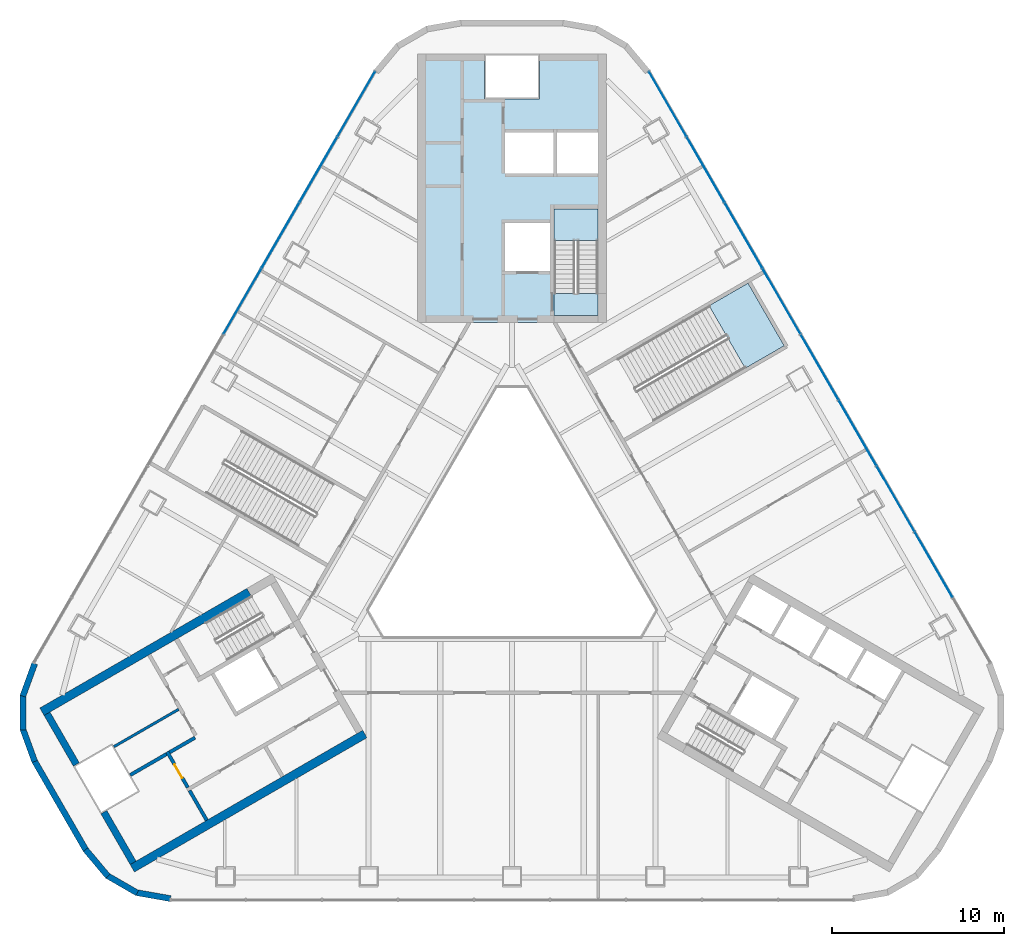
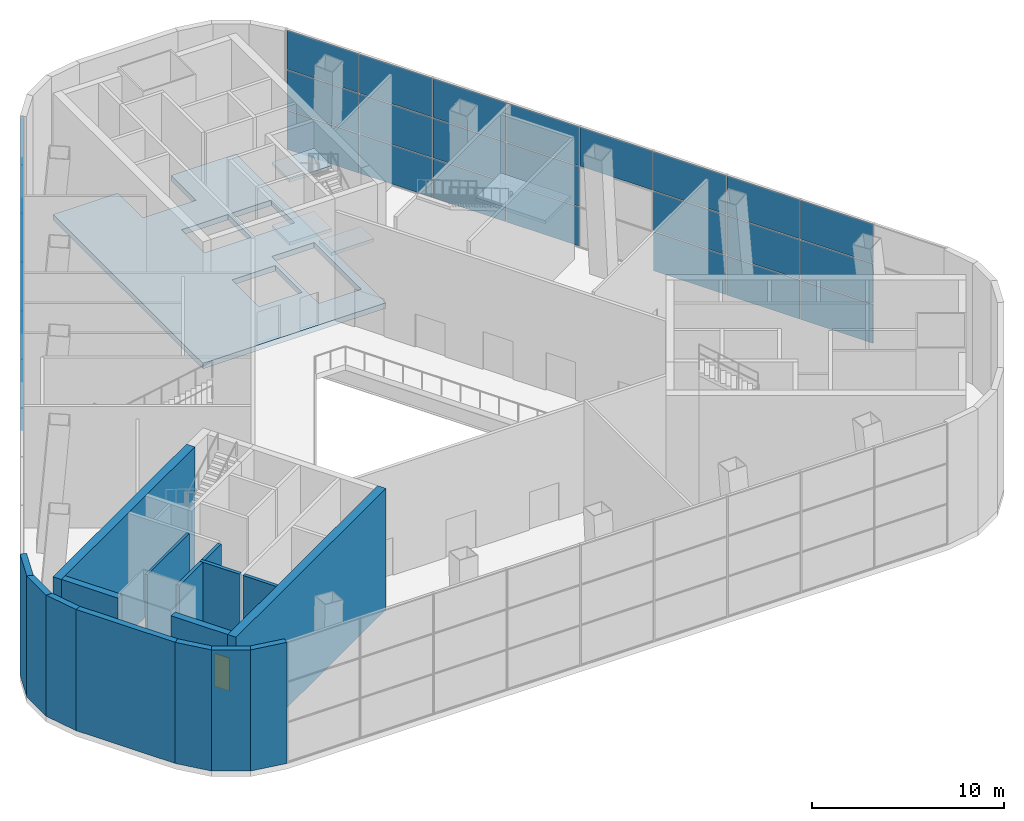
# One storey, part 8 of 16: 34 plates, 16 walls, 5 slabs, 1 door, 1 opening, 4 elements without a shape of their own.
"""IFC4 building model written with IfcOpenShell, lengths in metres."""

from ifc_helpers import new_model, si_unit, direction, frame, frame_2d, origin, origin_2d, place, context, subcontext, project, spatial, polyline, rectangle, outline, extrude, material, layer, layer_set, type_object, element, fill, aggregate, save


model = new_model("IFC4")

# Units and contexts
model_context = context("Model", 3, precision=1e-05, world=origin(), true_north=direction((0.0, 1.0)))
body_context = subcontext(model_context, "Body", "Model", "MODEL_VIEW")
ifc_project = project(units=[si_unit("LENGTHUNIT", "METRE"), si_unit("AREAUNIT", "SQUARE_METRE"), si_unit("VOLUMEUNIT", "CUBIC_METRE"), si_unit("PLANEANGLEUNIT", "RADIAN"), si_unit("MASSUNIT", "GRAM", prefix="KILO")], contexts=[model_context])

# Site, building, storey
site_placement = place(None, origin())
site = spatial("IfcSite", under=ifc_project, at=site_placement, CompositionType="ELEMENT")
building_placement = place(site_placement, origin())
building = spatial("IfcBuilding", under=site, at=building_placement, Name="Apuvela Tower Hotel", CompositionType="ELEMENT")
storey_placement = place(building_placement, frame((0.0, 0.0, 15.5)))
storey = spatial("IfcBuildingStorey", under=building, at=storey_placement, Name="L02", CompositionType="ELEMENT", Elevation=15.5)

# Slab
ifc_material_1 = material(Name="Concrete C50/60", Category="concrete")
ifc_layer_1 = layer(ifc_material_1, 0.35009765625)
ifc_layer_set_1 = layer_set([ifc_layer_1], Name="COR-FLOOR-350")
slab_type_1 = type_object("IfcSlabType", Name="COR-FLOOR-350", PredefinedType="FLOOR", material=ifc_layer_set_1)
slab_1_placement = place(storey_placement, frame((0.0, 0.0, -0.35009765625)))
element("IfcSlab", 1, at=slab_1_placement, inside=storey, type_object=slab_type_1, Name="Core floor N", PredefinedType="FLOOR", context=body_context, shape_type="SweptSolid", body=[
    extrude(outline(polyline([(5.5, 28.5), (1.60009765625, 28.5), (1.60009765625, 25.89990234375), (-1.60009765625, 25.89990234375), (-1.60009765625, 28.5), (-5.5, 28.5), (-5.5, 12.89990234375), (5.5, 12.89990234375), (5.5, 28.5)]), holes=[polyline([(5.0, 14.60595703125), (2.449951171875, 14.60595703125), (2.449951171875, 19.5), (5.0, 19.5), (5.0, 14.60595703125)]), polyline([(2.199951171875, 15.89990234375), (-0.39990234375, 15.89990234375), (-0.39990234375, 18.699951171875), (2.199951171875, 18.699951171875), (2.199951171875, 15.89990234375)]), polyline([(5.0, 21.550048828125), (2.60009765625, 21.550048828125), (2.60009765625, 23.949951171875), (5.0, 23.949951171875), (5.0, 21.550048828125)]), polyline([(2.39990234375, 21.550048828125), (-0.39990234375, 21.550048828125), (-0.39990234375, 23.949951171875), (2.39990234375, 23.949951171875), (2.39990234375, 21.550048828125)])]), origin(), (0.0, 0.0, 1.0), 0.35009765625),
])

# Stair, slabs
stair_type_1 = type_object("IfcStairType", Name="COR-STAIR-48R", PredefinedType="HALF_TURN_STAIR", material=ifc_material_1)
stair_1_placement = place(storey_placement, origin())
stair_1 = element("IfcStair", 2, at=stair_1_placement, inside=storey, type_object=stair_type_1, Name="L02 Exit stair ST1", PredefinedType="HALF_TURN_STAIR")
ifc_layer_2 = layer(ifc_material_1, 0.199951171875)
ifc_layer_set_2 = layer_set([ifc_layer_2], Name="COR-LANDING-200")
slab_type_2 = type_object("IfcSlabType", Name="COR-LANDING-200", PredefinedType="LANDING", material=ifc_layer_set_2)
slab_2_placement = place(storey_placement, frame((0.0, 0.0, 1.800048828125)))
slab_2 = element("IfcSlab", 3, at=slab_2_placement, type_object=slab_type_2, Name="ST1 landing 1", PredefinedType="LANDING", context=body_context, shape_type="SweptSolid", body=[
    extrude(outline(polyline([(5.0, 17.674072265625), (5.0, 19.5), (2.449951171875, 19.5), (2.449951171875, 17.674072265625), (5.0, 17.674072265625)])), origin(), (0.0, 0.0, 1.0), 0.199951171875),
])
slab_3_placement = place(storey_placement, frame((0.0, 0.0, 3.800048828125)))
slab_3 = element("IfcSlab", 4, at=slab_3_placement, type_object=slab_type_2, Name="ST1 landing 2", PredefinedType="LANDING", context=body_context, shape_type="SweptSolid", body=[
    extrude(outline(polyline([(5.0, 13.300048828125), (5.0, 14.60595703125), (2.449951171875, 14.60595703125), (2.449951171875, 13.300048828125), (5.0, 13.300048828125)])), origin(), (0.0, 0.0, 1.0), 0.199951171875),
])
slab_4_placement = place(storey_placement, frame((0.0, 0.0, 5.800048828125)))
slab_4 = element("IfcSlab", 5, at=slab_4_placement, type_object=slab_type_2, Name="ST1 landing 3", PredefinedType="LANDING", context=body_context, shape_type="SweptSolid", body=[
    extrude(outline(polyline([(5.0, 17.674072265625), (5.0, 19.5), (2.449951171875, 19.5), (2.449951171875, 17.674072265625), (5.0, 17.674072265625)])), origin(), (0.0, 0.0, 1.0), 0.199951171875),
])
aggregate(stair_1, [slab_2, slab_3, slab_4])

# Curtain wall, plates
ifc_material_2 = material(Name="Aluminium 6063-T6, dark bronze anodised", Category="aluminium")
ifc_layer_3 = layer(ifc_material_2, 0.199951171875)
ifc_layer_set_3 = layer_set([ifc_layer_3], Name="ENV-CW-P")
curtain_wall_type = type_object("IfcCurtainWallType", Name="ENV-CW-P", PredefinedType="NOTDEFINED", material=ifc_layer_set_3)
curtain_wall_1_placement = place(storey_placement, origin())
curtain_wall_1 = element("IfcCurtainWall", 6, at=curtain_wall_1_placement, inside=storey, type_object=curtain_wall_type, Name="Curtain wall CW-P NE L02", PredefinedType="NOTDEFINED")
ifc_material_3 = material(Name="Glass, dark tinted laminated insulated glazing unit", Category="glass")
ifc_layer_4 = layer(ifc_material_3, 0.0400390625)
ifc_layer_set_4 = layer_set([ifc_layer_4], Name="ENV-PANEL-IGU-40")
plate_type = type_object("IfcPlateType", Name="ENV-PANEL-IGU-40", PredefinedType="CURTAIN_PANEL", material=ifc_layer_set_4)
plate_1_placement = place(storey_placement, frame((24.4912109375, -1.1572265625, 0.06494140625), z_axis=(0.0, 0.0, 1.0), x_axis=(-0.500001316455, 0.866024643727, 0.0)))
plate_1 = element("IfcPlate", 7, at=plate_1_placement, type_object=plate_type, Name="CW-P panel 2.1", PredefinedType="CURTAIN_PANEL", context=body_context, shape_type="SweptSolid", body=[
    extrude(rectangle(XDim=4.350830078125, YDim=0.0400390625, at=origin_2d()), origin(), (0.0, 0.0, 1.0), 2.46923828125),
])
plate_2_placement = place(storey_placement, frame((24.4912109375, -1.1572265625, 2.59912109375), z_axis=(0.0, 0.0, 1.0), x_axis=(-0.500001316455, 0.866024643727, 0.0)))
plate_2 = element("IfcPlate", 8, at=plate_2_placement, type_object=plate_type, Name="CW-P panel 2.2", PredefinedType="CURTAIN_PANEL", context=body_context, shape_type="SweptSolid", body=[
    extrude(rectangle(XDim=4.350830078125, YDim=0.0400390625, at=origin_2d()), origin(), (0.0, 0.0, 1.0), 2.501708984375),
])
plate_3_placement = place(storey_placement, frame((24.4912109375, -1.1572265625, 5.165771484375), z_axis=(0.0, 0.0, 1.0), x_axis=(-0.500001316455, 0.866024643727, 0.0)))
plate_3 = element("IfcPlate", 9, at=plate_3_placement, type_object=plate_type, Name="CW-P panel 2.3", PredefinedType="CURTAIN_PANEL", context=body_context, shape_type="SweptSolid", body=[
    extrude(rectangle(XDim=4.350830078125, YDim=0.0400390625, at=origin_2d()), origin(), (0.0, 0.0, 1.0), 2.46923828125),
])
plate_4_placement = place(storey_placement, frame((22.283203125, 2.6669921875, 0.06494140625), z_axis=(0.0, 0.0, 1.0), x_axis=(-0.500001316455, 0.866024643727, 0.0)))
plate_4 = element("IfcPlate", 10, at=plate_4_placement, type_object=plate_type, Name="CW-P panel 3.1", PredefinedType="CURTAIN_PANEL", context=body_context, shape_type="SweptSolid", body=[
    extrude(rectangle(XDim=4.350830078125, YDim=0.0400390625, at=origin_2d()), origin(), (0.0, 0.0, 1.0), 2.46923828125),
])
plate_5_placement = place(storey_placement, frame((22.283203125, 2.6669921875, 2.59912109375), z_axis=(0.0, 0.0, 1.0), x_axis=(-0.500001316455, 0.866024643727, 0.0)))
plate_5 = element("IfcPlate", 11, at=plate_5_placement, type_object=plate_type, Name="CW-P panel 3.2", PredefinedType="CURTAIN_PANEL", context=body_context, shape_type="SweptSolid", body=[
    extrude(rectangle(XDim=4.350830078125, YDim=0.0400390625, at=origin_2d()), origin(), (0.0, 0.0, 1.0), 2.501708984375),
])
plate_6_placement = place(storey_placement, frame((22.283203125, 2.6669921875, 5.165771484375), z_axis=(0.0, 0.0, 1.0), x_axis=(-0.500001316455, 0.866024643727, 0.0)))
plate_6 = element("IfcPlate", 12, at=plate_6_placement, type_object=plate_type, Name="CW-P panel 3.3", PredefinedType="CURTAIN_PANEL", context=body_context, shape_type="SweptSolid", body=[
    extrude(rectangle(XDim=4.350830078125, YDim=0.0400390625, at=origin_2d()), origin(), (0.0, 0.0, 1.0), 2.46923828125),
])
plate_7_placement = place(storey_placement, frame((20.0751953125, 6.491455078125, 0.06494140625), z_axis=(0.0, 0.0, 1.0), x_axis=(-0.500001316455, 0.866024643727, 0.0)))
plate_7 = element("IfcPlate", 13, at=plate_7_placement, type_object=plate_type, Name="CW-P panel 4.1", PredefinedType="CURTAIN_PANEL", context=body_context, shape_type="SweptSolid", body=[
    extrude(rectangle(XDim=4.350830078125, YDim=0.0400390625, at=origin_2d()), origin(), (0.0, 0.0, 1.0), 2.46923828125),
])
plate_8_placement = place(storey_placement, frame((20.0751953125, 6.491455078125, 2.59912109375), z_axis=(0.0, 0.0, 1.0), x_axis=(-0.500001316455, 0.866024643727, 0.0)))
plate_8 = element("IfcPlate", 14, at=plate_8_placement, type_object=plate_type, Name="CW-P panel 4.2", PredefinedType="CURTAIN_PANEL", context=body_context, shape_type="SweptSolid", body=[
    extrude(rectangle(XDim=4.350830078125, YDim=0.0400390625, at=origin_2d()), origin(), (0.0, 0.0, 1.0), 2.501708984375),
])
plate_9_placement = place(storey_placement, frame((20.0751953125, 6.491455078125, 5.165771484375), z_axis=(0.0, 0.0, 1.0), x_axis=(-0.500001316455, 0.866024643727, 0.0)))
plate_9 = element("IfcPlate", 15, at=plate_9_placement, type_object=plate_type, Name="CW-P panel 4.3", PredefinedType="CURTAIN_PANEL", context=body_context, shape_type="SweptSolid", body=[
    extrude(rectangle(XDim=4.350830078125, YDim=0.0400390625, at=origin_2d()), origin(), (0.0, 0.0, 1.0), 2.46923828125),
])
plate_10_placement = place(storey_placement, frame((17.8671875, 10.315673828125, 5.165771484375), z_axis=(0.0, 0.0, 1.0), x_axis=(-0.500001316455, 0.866024643727, 0.0)))
plate_10 = element("IfcPlate", 16, at=plate_10_placement, type_object=plate_type, Name="CW-P panel 5.3", PredefinedType="CURTAIN_PANEL", context=body_context, shape_type="SweptSolid", body=[
    extrude(rectangle(XDim=4.350830078125, YDim=0.0400390625, at=origin_2d()), origin(), (0.0, 0.0, 1.0), 2.46923828125),
])
plate_11_placement = place(storey_placement, frame((15.659423828125, 14.139892578125, 0.06494140625), z_axis=(0.0, 0.0, 1.0), x_axis=(-0.500001316455, 0.866024643727, 0.0)))
plate_11 = element("IfcPlate", 17, at=plate_11_placement, type_object=plate_type, Name="CW-P panel 6.1", PredefinedType="CURTAIN_PANEL", context=body_context, shape_type="SweptSolid", body=[
    extrude(rectangle(XDim=4.350830078125, YDim=0.0400390625, at=origin_2d()), origin(), (0.0, 0.0, 1.0), 2.46923828125),
])
plate_12_placement = place(storey_placement, frame((15.659423828125, 14.139892578125, 2.59912109375), z_axis=(0.0, 0.0, 1.0), x_axis=(-0.500001316455, 0.866024643727, 0.0)))
plate_12 = element("IfcPlate", 18, at=plate_12_placement, type_object=plate_type, Name="CW-P panel 6.2", PredefinedType="CURTAIN_PANEL", context=body_context, shape_type="SweptSolid", body=[
    extrude(rectangle(XDim=4.350830078125, YDim=0.0400390625, at=origin_2d()), origin(), (0.0, 0.0, 1.0), 2.501708984375),
])
plate_13_placement = place(storey_placement, frame((15.659423828125, 14.139892578125, 5.165771484375), z_axis=(0.0, 0.0, 1.0), x_axis=(-0.500001316455, 0.866024643727, 0.0)))
plate_13 = element("IfcPlate", 19, at=plate_13_placement, type_object=plate_type, Name="CW-P panel 6.3", PredefinedType="CURTAIN_PANEL", context=body_context, shape_type="SweptSolid", body=[
    extrude(rectangle(XDim=4.350830078125, YDim=0.0400390625, at=origin_2d()), origin(), (0.0, 0.0, 1.0), 2.46923828125),
])
plate_14_placement = place(storey_placement, frame((13.451416015625, 17.964111328125, 0.06494140625), z_axis=(0.0, 0.0, 1.0), x_axis=(-0.500001316455, 0.866024643727, 0.0)))
plate_14 = element("IfcPlate", 20, at=plate_14_placement, type_object=plate_type, Name="CW-P panel 7.1", PredefinedType="CURTAIN_PANEL", context=body_context, shape_type="SweptSolid", body=[
    extrude(rectangle(XDim=4.350830078125, YDim=0.0400390625, at=origin_2d()), origin(), (0.0, 0.0, 1.0), 2.46923828125),
])
plate_15_placement = place(storey_placement, frame((13.451416015625, 17.964111328125, 2.59912109375), z_axis=(0.0, 0.0, 1.0), x_axis=(-0.500001316455, 0.866024643727, 0.0)))
plate_15 = element("IfcPlate", 21, at=plate_15_placement, type_object=plate_type, Name="CW-P panel 7.2", PredefinedType="CURTAIN_PANEL", context=body_context, shape_type="SweptSolid", body=[
    extrude(rectangle(XDim=4.350830078125, YDim=0.0400390625, at=origin_2d()), origin(), (0.0, 0.0, 1.0), 2.501708984375),
])
plate_16_placement = place(storey_placement, frame((13.451416015625, 17.964111328125, 5.165771484375), z_axis=(0.0, 0.0, 1.0), x_axis=(-0.500001316455, 0.866024643727, 0.0)))
plate_16 = element("IfcPlate", 22, at=plate_16_placement, type_object=plate_type, Name="CW-P panel 7.3", PredefinedType="CURTAIN_PANEL", context=body_context, shape_type="SweptSolid", body=[
    extrude(rectangle(XDim=4.350830078125, YDim=0.0400390625, at=origin_2d()), origin(), (0.0, 0.0, 1.0), 2.46923828125),
])
plate_17_placement = place(storey_placement, frame((11.243408203125, 21.78857421875, 0.06494140625), z_axis=(0.0, 0.0, 1.0), x_axis=(-0.500001316455, 0.866024643727, 0.0)))
plate_17 = element("IfcPlate", 23, at=plate_17_placement, type_object=plate_type, Name="CW-P panel 8.1", PredefinedType="CURTAIN_PANEL", context=body_context, shape_type="SweptSolid", body=[
    extrude(rectangle(XDim=4.350830078125, YDim=0.0400390625, at=origin_2d()), origin(), (0.0, 0.0, 1.0), 2.46923828125),
])
plate_18_placement = place(storey_placement, frame((11.243408203125, 21.78857421875, 2.59912109375), z_axis=(0.0, 0.0, 1.0), x_axis=(-0.500001316455, 0.866024643727, 0.0)))
plate_18 = element("IfcPlate", 24, at=plate_18_placement, type_object=plate_type, Name="CW-P panel 8.2", PredefinedType="CURTAIN_PANEL", context=body_context, shape_type="SweptSolid", body=[
    extrude(rectangle(XDim=4.350830078125, YDim=0.0400390625, at=origin_2d()), origin(), (0.0, 0.0, 1.0), 2.501708984375),
])
plate_19_placement = place(storey_placement, frame((11.243408203125, 21.78857421875, 5.165771484375), z_axis=(0.0, 0.0, 1.0), x_axis=(-0.500001316455, 0.866024643727, 0.0)))
plate_19 = element("IfcPlate", 25, at=plate_19_placement, type_object=plate_type, Name="CW-P panel 8.3", PredefinedType="CURTAIN_PANEL", context=body_context, shape_type="SweptSolid", body=[
    extrude(rectangle(XDim=4.350830078125, YDim=0.0400390625, at=origin_2d()), origin(), (0.0, 0.0, 1.0), 2.46923828125),
])
plate_20_placement = place(storey_placement, frame((9.043701171875, 25.5986328125, 0.06494140625), z_axis=(0.0, 0.0, 1.0), x_axis=(-0.500001316455, 0.866024643727, 0.0)))
plate_20 = element("IfcPlate", 26, at=plate_20_placement, type_object=plate_type, Name="CW-P panel 9.1", PredefinedType="CURTAIN_PANEL", context=body_context, shape_type="SweptSolid", body=[
    extrude(rectangle(XDim=4.318359375, YDim=0.0400390625, at=origin_2d()), origin(), (0.0, 0.0, 1.0), 2.46923828125),
])
plate_21_placement = place(storey_placement, frame((9.043701171875, 25.5986328125, 2.59912109375), z_axis=(0.0, 0.0, 1.0), x_axis=(-0.500001316455, 0.866024643727, 0.0)))
plate_21 = element("IfcPlate", 27, at=plate_21_placement, type_object=plate_type, Name="CW-P panel 9.2", PredefinedType="CURTAIN_PANEL", context=body_context, shape_type="SweptSolid", body=[
    extrude(rectangle(XDim=4.318359375, YDim=0.0400390625, at=origin_2d()), origin(), (0.0, 0.0, 1.0), 2.501708984375),
])
plate_22_placement = place(storey_placement, frame((9.043701171875, 25.5986328125, 5.165771484375), z_axis=(0.0, 0.0, 1.0), x_axis=(-0.500001316455, 0.866024643727, 0.0)))
plate_22 = element("IfcPlate", 28, at=plate_22_placement, type_object=plate_type, Name="CW-P panel 9.3", PredefinedType="CURTAIN_PANEL", context=body_context, shape_type="SweptSolid", body=[
    extrude(rectangle(XDim=4.318359375, YDim=0.0400390625, at=origin_2d()), origin(), (0.0, 0.0, 1.0), 2.46923828125),
])
aggregate(curtain_wall_1, [plate_1, plate_2, plate_3, plate_4, plate_5, plate_6, plate_7, plate_8, plate_9, plate_10, plate_11, plate_12, plate_13, plate_14, plate_15, plate_16, plate_17, plate_18, plate_19, plate_20, plate_21, plate_22])

curtain_wall_2_placement = place(storey_placement, origin())
curtain_wall_2 = element("IfcCurtainWall", 29, at=curtain_wall_2_placement, inside=storey, type_object=curtain_wall_type, Name="Curtain wall CW-P NW L02", PredefinedType="NOTDEFINED")
plate_23_placement = place(storey_placement, frame((-9.043701171875, 25.5986328125, 0.06494140625), z_axis=(0.0, 0.0, 1.0), x_axis=(-0.500001316455, -0.866024643727, 0.0)))
plate_23 = element("IfcPlate", 30, at=plate_23_placement, type_object=plate_type, Name="CW-P panel 1.1", PredefinedType="CURTAIN_PANEL", context=body_context, shape_type="SweptSolid", body=[
    extrude(rectangle(XDim=4.318359375, YDim=0.0400390625, at=origin_2d()), origin(), (0.0, 0.0, 1.0), 2.46923828125),
])
plate_24_placement = place(storey_placement, frame((-9.043701171875, 25.5986328125, 2.59912109375), z_axis=(0.0, 0.0, 1.0), x_axis=(-0.500001316455, -0.866024643727, 0.0)))
plate_24 = element("IfcPlate", 31, at=plate_24_placement, type_object=plate_type, Name="CW-P panel 1.2", PredefinedType="CURTAIN_PANEL", context=body_context, shape_type="SweptSolid", body=[
    extrude(rectangle(XDim=4.318359375, YDim=0.0400390625, at=origin_2d()), origin(), (0.0, 0.0, 1.0), 2.501708984375),
])
plate_25_placement = place(storey_placement, frame((-9.043701171875, 25.5986328125, 5.165771484375), z_axis=(0.0, 0.0, 1.0), x_axis=(-0.500001316455, -0.866024643727, 0.0)))
plate_25 = element("IfcPlate", 32, at=plate_25_placement, type_object=plate_type, Name="CW-P panel 1.3", PredefinedType="CURTAIN_PANEL", context=body_context, shape_type="SweptSolid", body=[
    extrude(rectangle(XDim=4.318359375, YDim=0.0400390625, at=origin_2d()), origin(), (0.0, 0.0, 1.0), 2.46923828125),
])
plate_26_placement = place(storey_placement, frame((-11.243408203125, 21.78857421875, 0.06494140625), z_axis=(0.0, 0.0, 1.0), x_axis=(-0.500001316455, -0.866024643727, 0.0)))
plate_26 = element("IfcPlate", 33, at=plate_26_placement, type_object=plate_type, Name="CW-P panel 2.1", PredefinedType="CURTAIN_PANEL", context=body_context, shape_type="SweptSolid", body=[
    extrude(rectangle(XDim=4.350830078125, YDim=0.0400390625, at=origin_2d()), origin(), (0.0, 0.0, 1.0), 2.46923828125),
])
plate_27_placement = place(storey_placement, frame((-11.243408203125, 21.78857421875, 2.59912109375), z_axis=(0.0, 0.0, 1.0), x_axis=(-0.500001316455, -0.866024643727, 0.0)))
plate_27 = element("IfcPlate", 34, at=plate_27_placement, type_object=plate_type, Name="CW-P panel 2.2", PredefinedType="CURTAIN_PANEL", context=body_context, shape_type="SweptSolid", body=[
    extrude(rectangle(XDim=4.350830078125, YDim=0.0400390625, at=origin_2d()), origin(), (0.0, 0.0, 1.0), 2.501708984375),
])
plate_28_placement = place(storey_placement, frame((-11.243408203125, 21.78857421875, 5.165771484375), z_axis=(0.0, 0.0, 1.0), x_axis=(-0.500001316455, -0.866024643727, 0.0)))
plate_28 = element("IfcPlate", 35, at=plate_28_placement, type_object=plate_type, Name="CW-P panel 2.3", PredefinedType="CURTAIN_PANEL", context=body_context, shape_type="SweptSolid", body=[
    extrude(rectangle(XDim=4.350830078125, YDim=0.0400390625, at=origin_2d()), origin(), (0.0, 0.0, 1.0), 2.46923828125),
])
plate_29_placement = place(storey_placement, frame((-13.451416015625, 17.964111328125, 0.06494140625), z_axis=(0.0, 0.0, 1.0), x_axis=(-0.500001316455, -0.866024643727, 0.0)))
plate_29 = element("IfcPlate", 36, at=plate_29_placement, type_object=plate_type, Name="CW-P panel 3.1", PredefinedType="CURTAIN_PANEL", context=body_context, shape_type="SweptSolid", body=[
    extrude(rectangle(XDim=4.350830078125, YDim=0.0400390625, at=origin_2d()), origin(), (0.0, 0.0, 1.0), 2.46923828125),
])
plate_30_placement = place(storey_placement, frame((-13.451416015625, 17.964111328125, 2.59912109375), z_axis=(0.0, 0.0, 1.0), x_axis=(-0.500001316455, -0.866024643727, 0.0)))
plate_30 = element("IfcPlate", 37, at=plate_30_placement, type_object=plate_type, Name="CW-P panel 3.2", PredefinedType="CURTAIN_PANEL", context=body_context, shape_type="SweptSolid", body=[
    extrude(rectangle(XDim=4.350830078125, YDim=0.0400390625, at=origin_2d()), origin(), (0.0, 0.0, 1.0), 2.501708984375),
])
plate_31_placement = place(storey_placement, frame((-13.451416015625, 17.964111328125, 5.165771484375), z_axis=(0.0, 0.0, 1.0), x_axis=(-0.500001316455, -0.866024643727, 0.0)))
plate_31 = element("IfcPlate", 38, at=plate_31_placement, type_object=plate_type, Name="CW-P panel 3.3", PredefinedType="CURTAIN_PANEL", context=body_context, shape_type="SweptSolid", body=[
    extrude(rectangle(XDim=4.350830078125, YDim=0.0400390625, at=origin_2d()), origin(), (0.0, 0.0, 1.0), 2.46923828125),
])
plate_32_placement = place(storey_placement, frame((-15.659423828125, 14.139892578125, 0.06494140625), z_axis=(0.0, 0.0, 1.0), x_axis=(-0.500001316455, -0.866024643727, 0.0)))
plate_32 = element("IfcPlate", 39, at=plate_32_placement, type_object=plate_type, Name="CW-P panel 4.1", PredefinedType="CURTAIN_PANEL", context=body_context, shape_type="SweptSolid", body=[
    extrude(rectangle(XDim=4.350830078125, YDim=0.0400390625, at=origin_2d()), origin(), (0.0, 0.0, 1.0), 2.46923828125),
])
plate_33_placement = place(storey_placement, frame((-15.659423828125, 14.139892578125, 2.59912109375), z_axis=(0.0, 0.0, 1.0), x_axis=(-0.500001316455, -0.866024643727, 0.0)))
plate_33 = element("IfcPlate", 40, at=plate_33_placement, type_object=plate_type, Name="CW-P panel 4.2", PredefinedType="CURTAIN_PANEL", context=body_context, shape_type="SweptSolid", body=[
    extrude(rectangle(XDim=4.350830078125, YDim=0.0400390625, at=origin_2d()), origin(), (0.0, 0.0, 1.0), 2.501708984375),
])
plate_34_placement = place(storey_placement, frame((-15.659423828125, 14.139892578125, 5.165771484375), z_axis=(0.0, 0.0, 1.0), x_axis=(-0.500001316455, -0.866024643727, 0.0)))
plate_34 = element("IfcPlate", 41, at=plate_34_placement, type_object=plate_type, Name="CW-P panel 4.3", PredefinedType="CURTAIN_PANEL", context=body_context, shape_type="SweptSolid", body=[
    extrude(rectangle(XDim=4.350830078125, YDim=0.0400390625, at=origin_2d()), origin(), (0.0, 0.0, 1.0), 2.46923828125),
])
aggregate(curtain_wall_2, [plate_23, plate_24, plate_25, plate_26, plate_27, plate_28, plate_29, plate_30, plate_31, plate_32, plate_33, plate_34])

# Stair, slab
ifc_material_4 = material(Name="Concrete C40/50", Category="concrete")
stair_type_2 = type_object("IfcStairType", Name="SPC-STAIR-PS", PredefinedType="HALF_TURN_STAIR", material=ifc_material_4)
stair_2_placement = place(storey_placement, origin())
stair_2 = element("IfcStair", 42, at=stair_2_placement, inside=storey, type_object=stair_type_2, Name="L02 Protected exit stair PS1", PredefinedType="HALF_TURN_STAIR")
ifc_layer_5 = layer(ifc_material_4, 0.199951171875)
ifc_layer_set_5 = layer_set([ifc_layer_5], Name="SPC-LANDING-PS")
slab_type_3 = type_object("IfcSlabType", Name="SPC-LANDING-PS", PredefinedType="LANDING", material=ifc_layer_set_5)
slab_5_placement = place(storey_placement, frame((0.0, 0.0, 3.800048828125)))
slab_5 = element("IfcSlab", 43, at=slab_5_placement, type_object=slab_type_3, Name="PS1 landing 1", PredefinedType="LANDING", context=body_context, shape_type="SweptSolid", body=[
    extrude(outline(polyline([(13.546875, 10.24609375), (15.8115234375, 11.5537109375), (13.71142578125, 15.19091796875), (11.44677734375, 13.883544921875), (13.546875, 10.24609375)])), origin(), (0.0, 0.0, 1.0), 0.199951171875),
])
aggregate(stair_2, [slab_5])

# Walls
ifc_layer_6 = layer(ifc_material_1, 0.39990234375)
ifc_layer_set_6 = layer_set([ifc_layer_6], Name="COR-WALL-CORE-400")
wall_type_1 = type_object("IfcWallType", Name="COR-WALL-CORE-400", PredefinedType="SHEAR", material=ifc_layer_set_6)
wall_1_placement = place(storey_placement, frame((-23.70849609375, -15.53564453125, 0.0), z_axis=(0.0, 0.0, 1.0), x_axis=(0.500008388397, -0.866020560687, 0.0)))
element("IfcWall", 44, at=wall_1_placement, inside=storey, type_object=wall_type_1, Name="Core wall SW", PredefinedType="SHEAR", context=body_context, shape_type="SweptSolid", body=[
    extrude(rectangle(XDim=3.39990234375, YDim=0.39990234375, at=frame_2d((1.699951171875, 0.0))), origin(), (0.0, 0.0, 1.0), 7.699951171875),
])
wall_2_placement = place(storey_placement, frame((-27.008544921875, -9.81982421875, 0.0), z_axis=(0.0, 0.0, 1.0), x_axis=(0.499977295307, -0.866038511948, 0.0)))
element("IfcWall", 45, at=wall_2_placement, inside=storey, type_object=wall_type_1, Name="Core wall SW", PredefinedType="SHEAR", context=body_context, shape_type="SweptSolid", body=[
    extrude(rectangle(XDim=3.400146484375, YDim=0.39990234375, at=frame_2d((1.7001953125, 0.0))), origin(), (0.0, 0.0, 1.0), 7.699951171875),
])
ifc_layer_7 = layer(ifc_material_1, 0.5)
ifc_layer_set_7 = layer_set([ifc_layer_7], Name="COR-WALL-CORE-500")
wall_type_2 = type_object("IfcWallType", Name="COR-WALL-CORE-500", PredefinedType="SHEAR", material=ifc_layer_set_7)
wall_3_placement = place(storey_placement, frame((-8.546630859375, -10.99658203125, 0.0), z_axis=(0.0, 0.0, 1.0), x_axis=(-0.866024264262, -0.500001973705, 0.0)))
element("IfcWall", 46, at=wall_3_placement, inside=storey, type_object=wall_type_2, Name="Core wall SW", PredefinedType="SHEAR", context=body_context, shape_type="SweptSolid", body=[
    extrude(rectangle(XDim=15.60009765625, YDim=0.5, at=frame_2d((7.800048828125, 0.0))), origin(), (0.0, 0.0, 1.0), 7.699951171875),
])
wall_4_placement = place(storey_placement, frame((-15.274169921875, -2.75634765625, 0.0), z_axis=(0.0, 0.0, 1.0), x_axis=(-0.86602318214, -0.500003847982, 0.0)))
element("IfcWall", 47, at=wall_4_placement, inside=storey, type_object=wall_type_2, Name="Core wall SW", PredefinedType="SHEAR", context=body_context, shape_type="SweptSolid", body=[
    extrude(rectangle(XDim=13.89404296875, YDim=0.5, at=frame_2d((6.947021484375, 0.0))), origin(), (0.0, 0.0, 1.0), 7.699951171875),
])
ifc_material_5 = material(Name="Blockwork 150 mm plastered", Category="masonry")
ifc_layer_8 = layer(ifc_material_5, 0.14990234375)
ifc_layer_set_8 = layer_set([ifc_layer_8], Name="COR-WALL-PART-150")
wall_type_3 = type_object("IfcWallType", Name="COR-WALL-PART-150", PredefinedType="PARTITIONING", material=ifc_layer_set_8)
wall_5_placement = place(storey_placement, frame((-19.36279296875, -9.5625, 0.0), z_axis=(0.0, 0.0, 1.0), x_axis=(-0.866027639635, -0.499996127374, 0.0)))
element("IfcWall", 48, at=wall_5_placement, inside=storey, type_object=wall_type_3, Name="Partition SW", PredefinedType="PARTITIONING", context=body_context, shape_type="SweptSolid", body=[
    extrude(rectangle(XDim=4.35009765625, YDim=0.14990234375, at=frame_2d((2.175048828125, 0.0))), origin(), (0.0, 0.0, 1.0), 7.699951171875),
])

# Wall, opening, door
ifc_layer_9 = layer(ifc_material_1, 0.199951171875)
ifc_layer_set_9 = layer_set([ifc_layer_9], Name="COR-WALL-SHAFT-200")
wall_type_4 = type_object("IfcWallType", Name="COR-WALL-SHAFT-200", PredefinedType="SHEAR", material=ifc_layer_set_9)
wall_6_placement = place(storey_placement, frame((-20.030517578125, -12.0263671875, 0.0), z_axis=(0.0, 0.0, 1.0), x_axis=(0.500033551112, -0.866006032174, 0.0)))
wall_6 = element("IfcWall", 49, at=wall_6_placement, inside=storey, type_object=wall_type_4, Name="Shaft wall SW", PredefinedType="SHEAR", context=body_context, shape_type="SweptSolid", body=[
    extrude(rectangle(XDim=2.400146484375, YDim=0.199951171875, at=frame_2d((1.2001953125, 0.0))), origin(), (0.0, 0.0, 1.0), 7.699951171875),
])
opening_placement = place(wall_6_placement, frame((0.85009765625, 0.0, 0.0)))
opening = element("IfcOpeningElement", 50, at=opening_placement, cuts=wall_6, Name="Opening W-REP", PredefinedType="OPENING", context=body_context, shape_type="SweptSolid", body=[
    extrude(rectangle(XDim=0.89990234375, YDim=2.10009765625, at=frame_2d((0.449951171875, 1.050048828125))), frame((0.0, 0.10986328125, 0.0), z_axis=(0.0, -1.0, 0.0), x_axis=(1.0, 0.0, 0.0)), (0.0, 0.0, 1.0), 0.219970703125),
])
ifc_material_6 = material(Name="Steel fire door, powder coated", Category="steel")
door_type = type_object("IfcDoorType", Name="COR-DR-900", OperationType="NOTDEFINED", PredefinedType="DOOR", material=ifc_material_6)
door_placement = place(opening_placement, frame((0.89990234375, 0.0, 0.0), z_axis=(0.0, 0.0, 1.0), x_axis=(-1.0, 0.0, 0.0)))
door = element("IfcDoor", 51, at=door_placement, inside=storey, type_object=door_type, Name="Store door W-REP", OperationType="SINGLE_SWING_LEFT", OverallHeight=2.10009765625, OverallWidth=0.89990234375, PredefinedType="DOOR", context=body_context, shape_type="SweptSolid", body=[
    extrude(rectangle(XDim=0.89990234375, YDim=2.10009765625, at=frame_2d((0.449951171875, 1.050048828125))), frame((0.0, 0.02490234375, 0.0), z_axis=(0.0, -1.0, 0.0), x_axis=(1.0, 0.0, 0.0)), (0.0, 0.0, 1.0), 0.050048828125),
])
fill(opening, door)

# Walls
wall_7_placement = place(storey_placement, frame((-18.412841796875, -11.2080078125, 0.0), z_axis=(0.0, 0.0, 1.0), x_axis=(-0.866038183914, -0.499977863513, 0.0)))
element("IfcWall", 52, at=wall_7_placement, inside=storey, type_object=wall_type_4, Name="Shaft wall SW", PredefinedType="SHEAR", context=body_context, shape_type="SweptSolid", body=[
    extrude(rectangle(XDim=1.7099609375, YDim=0.199951171875, at=frame_2d((0.85498046875, 0.0))), origin(), (0.0, 0.0, 1.0), 7.699951171875),
])
wall_8_placement = place(storey_placement, frame((-18.73046875, -14.278076171875, 0.0), z_axis=(0.0, 0.0, 1.0), x_axis=(0.50002537861, -0.866010750942, 0.0)))
element("IfcWall", 53, at=wall_8_placement, inside=storey, type_object=wall_type_4, Name="Shaft wall SW", PredefinedType="SHEAR", context=body_context, shape_type="SweptSolid", body=[
    extrude(rectangle(XDim=2.0, YDim=0.199951171875, at=frame_2d((1.0, 0.0))), origin(), (0.0, 0.0, 1.0), 7.699951171875),
])
wall_9_placement = place(storey_placement, frame((-20.06689453125, -12.1630859375, 0.0), z_axis=(0.0, 0.0, 1.0), x_axis=(-0.866048967903, -0.499959183527, 0.0)))
element("IfcWall", 54, at=wall_9_placement, inside=storey, type_object=wall_type_4, Name="Shaft wall SW", PredefinedType="SHEAR", context=body_context, shape_type="SweptSolid", body=[
    extrude(rectangle(XDim=2.440185546875, YDim=0.199951171875, at=frame_2d((1.22021484375, 0.0))), origin(), (0.0, 0.0, 1.0), 7.699951171875),
])
ifc_material_7 = material(Name="Concrete C40/50, dark pigmented precast panel", Category="concrete")
ifc_layer_10 = layer(ifc_material_7, 0.35009765625)
ifc_layer_set_10 = layer_set([ifc_layer_10], Name="ENV-WALL-350")
wall_type_5 = type_object("IfcWallType", Name="ENV-WALL-350", PredefinedType="SOLIDWALL", material=ifc_layer_set_10)
wall_10_placement = place(storey_placement, frame((-27.72509765625, -6.9033203125, 0.0), z_axis=(0.0, 0.0, 1.0), x_axis=(-0.342102542586, -0.939662625816, 0.0)))
element("IfcWall", 55, at=wall_10_placement, inside=storey, type_object=wall_type_5, Name="External wall L02-08", PredefinedType="SOLIDWALL", context=body_context, shape_type="SweptSolid", body=[
    extrude(rectangle(XDim=2.017578125, YDim=0.35009765625, at=frame_2d((1.0087890625, 0.0))), origin(), (0.0, 0.0, 1.0), 7.699951171875),
])
for number, where, z_axis, x_axis, name in (
    (56, (-28.404541015625, -8.7392578125, 0.0), (0.0, 0.0, 1.0), (0.0, -1.0, 0.0), "External wall L02-09"),
    (57, (-28.415283203125, -10.69677734375, 0.0), (0.0, 0.0, 1.0), (0.342141447536, -0.939648460797, 0.0), "External wall L02-10"),
):
    element("IfcWall", number, at=place(storey_placement, frame(where, z_axis=z_axis, x_axis=x_axis)), inside=storey, type_object=wall_type_5, Name=name, PredefinedType="SOLIDWALL", context=body_context, shape_type="SweptSolid", body=[
        extrude(rectangle(XDim=2.017333984375, YDim=0.35009765625, at=frame_2d((1.0087890625, 0.0))), origin(), (0.0, 0.0, 1.0), 7.699951171875),
    ])
wall_11_placement = place(storey_placement, frame((-27.738037109375, -12.564697265625, 0.0), z_axis=(0.0, 0.0, 1.0), x_axis=(0.499984178349, -0.866034538226, 0.0)))
element("IfcWall", 58, at=wall_11_placement, inside=storey, type_object=wall_type_5, Name="External wall L02-11", PredefinedType="SOLIDWALL", context=body_context, shape_type="SweptSolid", body=[
    extrude(rectangle(XDim=5.975341796875, YDim=0.35009765625, at=frame_2d((2.98779296875, 0.0))), origin(), (0.0, 0.0, 1.0), 7.699951171875),
])
wall_12_placement = place(storey_placement, frame((-24.767822265625, -17.714599609375, 0.0), z_axis=(0.0, 0.0, 1.0), x_axis=(0.642752052196, -0.76607427799, 0.0)))
element("IfcWall", 59, at=wall_12_placement, inside=storey, type_object=wall_type_5, Name="External wall L02-12", PredefinedType="SOLIDWALL", context=body_context, shape_type="SweptSolid", body=[
    extrude(rectangle(XDim=2.017333984375, YDim=0.35009765625, at=frame_2d((1.0087890625, 0.0))), origin(), (0.0, 0.0, 1.0), 7.699951171875),
])
wall_13_placement = place(storey_placement, frame((-23.517578125, -19.220947265625, 0.0), z_axis=(0.0, 0.0, 1.0), x_axis=(0.866022320763, -0.500005339912, 0.0)))
element("IfcWall", 60, at=wall_13_placement, inside=storey, type_object=wall_type_5, Name="External wall L02-13", PredefinedType="SOLIDWALL", context=body_context, shape_type="SweptSolid", body=[
    extrude(rectangle(XDim=2.01708984375, YDim=0.35009765625, at=frame_2d((1.008544921875, 0.0))), origin(), (0.0, 0.0, 1.0), 7.699951171875),
])
wall_14_placement = place(storey_placement, frame((-21.827880859375, -20.208740234375, 0.0), z_axis=(0.0, 0.0, 1.0), x_axis=(0.984806696933, -0.173654166884, 0.0)))
element("IfcWall", 61, at=wall_14_placement, inside=storey, type_object=wall_type_5, Name="External wall L02-14", PredefinedType="SOLIDWALL", context=body_context, shape_type="SweptSolid", body=[
    extrude(rectangle(XDim=2.017578125, YDim=0.35009765625, at=frame_2d((1.0087890625, 0.0))), origin(), (0.0, 0.0, 1.0), 7.699951171875),
])

save(model, "model.ifc")
